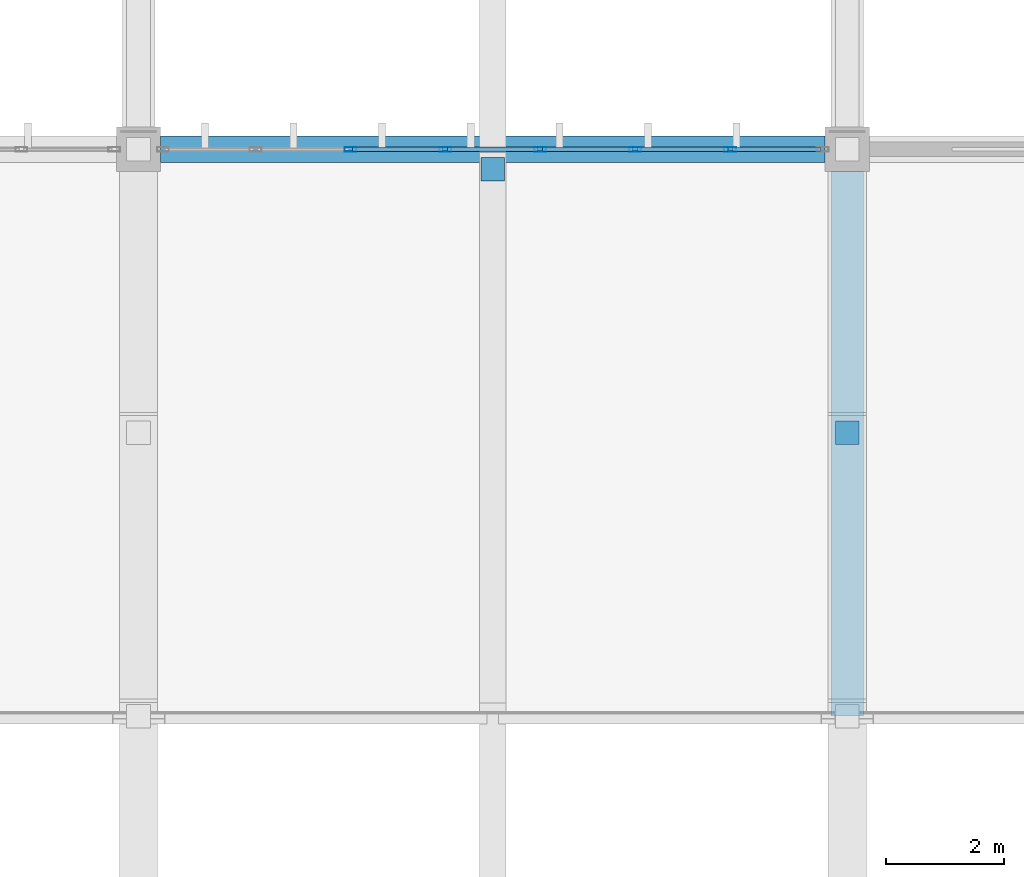
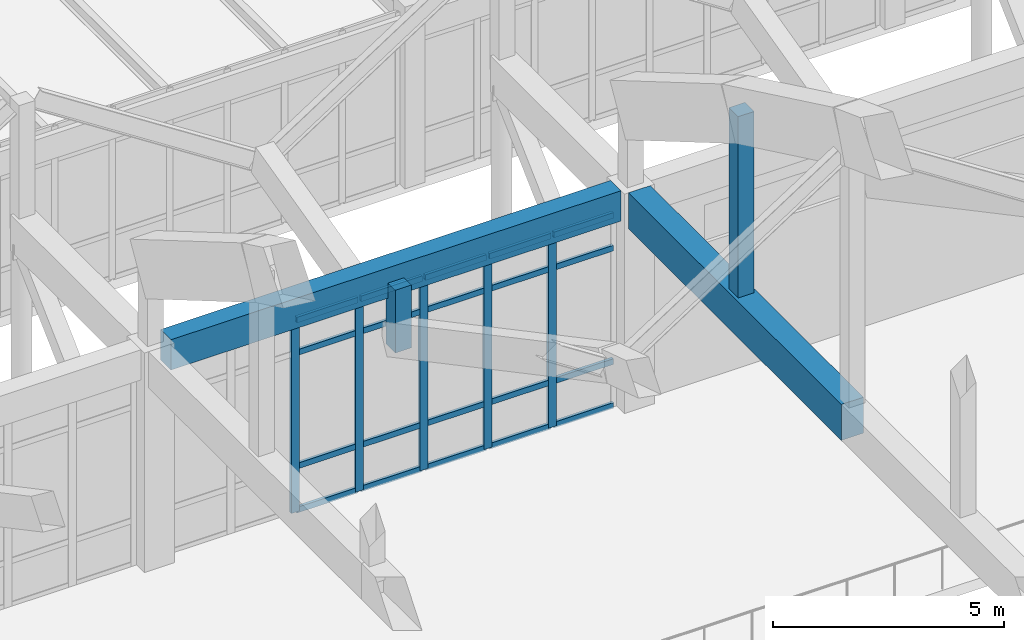
# One storey, part 87 of 236: 27 members, 2 beams, 1 element without a shape of its own.
"""IFC4 building model written with IfcOpenShell, lengths in metres."""

from ifc_helpers import new_model, si_unit, direction, frame, origin, origin_2d, place, context, subcontext, project, spatial, rectangle, hollow_rectangle, extrude, material, layer, layer_set, material_profile, profile_set, type_object, element, aggregate, save


model = new_model("IFC4")

# Units and contexts
model_context = context("Model", 3, precision=1e-05, world=origin(), true_north=direction((0.0, 1.0)))
body_context = subcontext(model_context, "Body", "Model", "MODEL_VIEW")
ifc_project = project(units=[si_unit("LENGTHUNIT", "METRE"), si_unit("AREAUNIT", "SQUARE_METRE"), si_unit("VOLUMEUNIT", "CUBIC_METRE"), si_unit("PLANEANGLEUNIT", "RADIAN"), si_unit("MASSUNIT", "GRAM", prefix="KILO")], contexts=[model_context])

# Site, building, storey
site_placement = place(None, origin())
site = spatial("IfcSite", under=ifc_project, at=site_placement, CompositionType="ELEMENT")
building_placement = place(site_placement, origin())
building = spatial("IfcBuilding", under=site, at=building_placement, Name="Pandanus Reach Market Hall", CompositionType="ELEMENT")
storey_placement = place(building_placement, frame((0.0, 0.0, 5.39990234375)))
storey = spatial("IfcBuildingStorey", under=building, at=storey_placement, Name="L01", CompositionType="ELEMENT", Elevation=5.39990234375)

# Members
ifc_material_1 = material(Name="Concrete N50 (50 MPa)", Category="concrete")
ifc_material_profile_1 = material_profile(ifc_material_1, rectangle(XDim=0.39990234375, YDim=0.39990234375, at=origin_2d()), Name="RC400x400", Category="LoadBearing")
ifc_profile_set_1 = profile_set([ifc_material_profile_1], Name="Concrete N50 (50 MPa)")
member_type_1 = type_object("IfcMemberType", Name="AR-WEB400-E", PredefinedType="STRUT", material=ifc_profile_set_1)
member_1_placement = place(storey_placement, frame((120.0, 81.60009765625, 5.3251953125), z_axis=(0.0, 0.0, 1.0), x_axis=(1.0, 0.0, 0.0)))
element("IfcMember", 1, at=member_1_placement, inside=storey, type_object=member_type_1, Name="Arch truss vertical web strut A7.11", PredefinedType="STRUT", context=body_context, shape_type="SweptSolid", body=[
    extrude(rectangle(XDim=0.39990234375, YDim=0.39990234375, at=origin_2d()), origin(), (0.0, 0.0, 1.0), 5.26611328125),
])
member_2_placement = place(storey_placement, frame((114.0, 86.06005859375, 3.739990234375), z_axis=(0.0, 0.0, 1.0), x_axis=(1.0, 0.0, 0.0)))
element("IfcMember", 2, at=member_2_placement, inside=storey, type_object=member_type_1, Name="Butterfly north eave valley hanger B6N", PredefinedType="STRUT", context=body_context, shape_type="SweptSolid", body=[
    extrude(rectangle(XDim=0.39990234375, YDim=0.39990234375, at=origin_2d()), origin(), (0.0, 0.0, 1.0), 1.66015625),
])

# Beams
ifc_material_2 = material(Name="Concrete N40 (40 MPa)", Category="concrete")
ifc_material_profile_2 = material_profile(ifc_material_2, rectangle(XDim=0.449951171875, YDim=0.800048828125, at=origin_2d()), Name="RC450x800", Category="LoadBearing")
ifc_profile_set_2 = profile_set([ifc_material_profile_2], Name="Concrete N40 (40 MPa)")
beam_type_1 = type_object("IfcBeamType", Name="BM-RC450-E", PredefinedType="SPANDREL", material=ifc_profile_set_2)
beam_1_placement = place(storey_placement, frame((108.373046875, 86.39990234375, 5.400146484375), z_axis=(1.0, 0.0, 0.0), x_axis=(0.0, 1.0, 0.0)))
element("IfcBeam", 3, at=beam_1_placement, inside=storey, type_object=beam_type_1, Name="Framing beam BM-RC450-E L01.1150", PredefinedType="SPANDREL", context=body_context, shape_type="SweptSolid", body=[
    extrude(rectangle(XDim=0.449951171875, YDim=0.800048828125, at=origin_2d()), origin(), (0.0, 0.0, 1.0), 11.25390625),
])
ifc_material_profile_3 = material_profile(ifc_material_1, rectangle(XDim=0.550048828125, YDim=0.949951171875, at=origin_2d()), Name="RC550x950", Category="LoadBearing")
ifc_profile_set_3 = profile_set([ifc_material_profile_3], Name="Concrete N50 (50 MPa)")
beam_type_2 = type_object("IfcBeamType", Name="BM-RC550-I", PredefinedType="BEAM", material=ifc_profile_set_3)
beam_2_placement = place(storey_placement, frame((120.0, 76.800048828125, 5.3251953125), z_axis=(0.0, 1.0, 0.0), x_axis=(-1.0, 0.0, 0.0)))
element("IfcBeam", 4, at=beam_2_placement, inside=storey, type_object=beam_type_2, Name="Parabolic arch tie girder A7.6", PredefinedType="BEAM", context=body_context, shape_type="SweptSolid", body=[
    extrude(rectangle(XDim=0.550048828125, YDim=0.949951171875, at=origin_2d()), origin(), (0.0, 0.0, 1.0), 9.22705078125),
])

# Curtain wall, members
ifc_material_3 = material(Name="Bronze anodised aluminium and low-E glass", Category="aluminium")
ifc_layer = layer(ifc_material_3, 0.199951171875, Name="CW-02")
ifc_layer_set = layer_set([ifc_layer], Name="Bronze anodised aluminium and low-E glass")
curtain_wall_type = type_object("IfcCurtainWallType", Name="CW-02", PredefinedType="NOTDEFINED", material=ifc_layer_set)
curtain_wall_placement = place(storey_placement, origin())
curtain_wall = element("IfcCurtainWall", 5, at=curtain_wall_placement, inside=storey, type_object=curtain_wall_type, Name="Glazed curtain wall CW-02 CW-0016", PredefinedType="NOTDEFINED")
ifc_material_4 = material(Name="Bronze anodised aluminium", Category="aluminium")
ifc_material_profile_4 = material_profile(ifc_material_4, hollow_rectangle(XDim=0.074951171875, YDim=0.199951171875, WallThickness=0.00439453125, at=origin_2d()), Name="ALU75x200", Category="LoadBearing")
ifc_profile_set_4 = profile_set([ifc_material_profile_4], Name="Bronze anodised aluminium")
member_type_2 = type_object("IfcMemberType", Name="CW-M2", PredefinedType="MULLION", material=ifc_profile_set_4)
member_3_placement = place(storey_placement, frame((111.58935546875, 86.39990234375, 0.0), z_axis=(0.0, 0.0, 1.0), x_axis=(0.0, 1.0, 0.0)))
member_3 = element("IfcMember", 6, at=member_3_placement, type_object=member_type_2, Name="CW-02 mullion 3", PredefinedType="MULLION", context=body_context, shape_type="SweptSolid", body=[
    extrude(hollow_rectangle(XDim=0.074951171875, YDim=0.199951171875, WallThickness=0.00439453125, at=origin_2d()), origin(), (0.0, 0.0, 1.0), 5.10009765625),
])
member_4_placement = place(storey_placement, frame((113.196533203125, 86.39990234375, 0.0), z_axis=(0.0, 0.0, 1.0), x_axis=(0.0, 1.0, 0.0)))
member_4 = element("IfcMember", 7, at=member_4_placement, type_object=member_type_2, Name="CW-02 mullion 4", PredefinedType="MULLION", context=body_context, shape_type="SweptSolid", body=[
    extrude(hollow_rectangle(XDim=0.074951171875, YDim=0.199951171875, WallThickness=0.00439453125, at=origin_2d()), origin(), (0.0, 0.0, 1.0), 5.10009765625),
])
member_5_placement = place(storey_placement, frame((114.803466796875, 86.39990234375, 0.0), z_axis=(0.0, 0.0, 1.0), x_axis=(0.0, 1.0, 0.0)))
member_5 = element("IfcMember", 8, at=member_5_placement, type_object=member_type_2, Name="CW-02 mullion 5", PredefinedType="MULLION", context=body_context, shape_type="SweptSolid", body=[
    extrude(hollow_rectangle(XDim=0.074951171875, YDim=0.199951171875, WallThickness=0.00439453125, at=origin_2d()), origin(), (0.0, 0.0, 1.0), 5.10009765625),
])
member_6_placement = place(storey_placement, frame((116.41064453125, 86.39990234375, 0.0), z_axis=(0.0, 0.0, 1.0), x_axis=(0.0, 1.0, 0.0)))
member_6 = element("IfcMember", 9, at=member_6_placement, type_object=member_type_2, Name="CW-02 mullion 6", PredefinedType="MULLION", context=body_context, shape_type="SweptSolid", body=[
    extrude(hollow_rectangle(XDim=0.074951171875, YDim=0.199951171875, WallThickness=0.00439453125, at=origin_2d()), origin(), (0.0, 0.0, 1.0), 5.10009765625),
])
member_7_placement = place(storey_placement, frame((118.017822265625, 86.39990234375, 0.0), z_axis=(0.0, 0.0, 1.0), x_axis=(0.0, 1.0, 0.0)))
member_7 = element("IfcMember", 10, at=member_7_placement, type_object=member_type_2, Name="CW-02 mullion 7", PredefinedType="MULLION", context=body_context, shape_type="SweptSolid", body=[
    extrude(hollow_rectangle(XDim=0.074951171875, YDim=0.199951171875, WallThickness=0.00439453125, at=origin_2d()), origin(), (0.0, 0.0, 1.0), 5.10009765625),
])
ifc_material_profile_5 = material_profile(ifc_material_4, hollow_rectangle(XDim=0.074951171875, YDim=0.14990234375, WallThickness=0.00439453125, at=origin_2d()), Name="ALU75x150", Category="LoadBearing")
ifc_profile_set_5 = profile_set([ifc_material_profile_5], Name="Bronze anodised aluminium")
member_type_3 = type_object("IfcMemberType", Name="CW-T2", PredefinedType="USERDEFINED", material=ifc_profile_set_5)
member_8_placement = place(storey_placement, frame((111.626708984375, 86.39990234375, 0.03759765625), z_axis=(1.0, 0.0, 0.0), x_axis=(0.0, 1.0, 0.0)))
member_8 = element("IfcMember", 11, at=member_8_placement, type_object=member_type_3, Name="CW-02 transom 3.1", ObjectType="TRANSOM", PredefinedType="USERDEFINED", context=body_context, shape_type="SweptSolid", body=[
    extrude(hollow_rectangle(XDim=0.074951171875, YDim=0.14990234375, WallThickness=0.00439453125, at=origin_2d()), origin(), (0.0, 0.0, 1.0), 1.5322265625),
])
member_9_placement = place(storey_placement, frame((111.626708984375, 86.39990234375, 1.2001953125), z_axis=(1.0, 0.0, 0.0), x_axis=(0.0, 1.0, 0.0)))
member_9 = element("IfcMember", 12, at=member_9_placement, type_object=member_type_3, Name="CW-02 transom 3.2", ObjectType="TRANSOM", PredefinedType="USERDEFINED", context=body_context, shape_type="SweptSolid", body=[
    extrude(hollow_rectangle(XDim=0.074951171875, YDim=0.14990234375, WallThickness=0.00439453125, at=origin_2d()), origin(), (0.0, 0.0, 1.0), 1.5322265625),
])
member_10_placement = place(storey_placement, frame((111.626708984375, 86.39990234375, 4.2001953125), z_axis=(1.0, 0.0, 0.0), x_axis=(0.0, 1.0, 0.0)))
member_10 = element("IfcMember", 13, at=member_10_placement, type_object=member_type_3, Name="CW-02 transom 3.3", ObjectType="TRANSOM", PredefinedType="USERDEFINED", context=body_context, shape_type="SweptSolid", body=[
    extrude(hollow_rectangle(XDim=0.074951171875, YDim=0.14990234375, WallThickness=0.00439453125, at=origin_2d()), origin(), (0.0, 0.0, 1.0), 1.5322265625),
])
member_11_placement = place(storey_placement, frame((111.626708984375, 86.39990234375, 5.0625), z_axis=(1.0, 0.0, 0.0), x_axis=(0.0, 1.0, 0.0)))
member_11 = element("IfcMember", 14, at=member_11_placement, type_object=member_type_3, Name="CW-02 transom 3.4", ObjectType="TRANSOM", PredefinedType="USERDEFINED", context=body_context, shape_type="SweptSolid", body=[
    extrude(hollow_rectangle(XDim=0.074951171875, YDim=0.14990234375, WallThickness=0.00439453125, at=origin_2d()), origin(), (0.0, 0.0, 1.0), 1.5322265625),
])
member_12_placement = place(storey_placement, frame((113.23388671875, 86.39990234375, 0.03759765625), z_axis=(1.0, 0.0, 0.0), x_axis=(0.0, 1.0, 0.0)))
member_12 = element("IfcMember", 15, at=member_12_placement, type_object=member_type_3, Name="CW-02 transom 4.1", ObjectType="TRANSOM", PredefinedType="USERDEFINED", context=body_context, shape_type="SweptSolid", body=[
    extrude(hollow_rectangle(XDim=0.074951171875, YDim=0.14990234375, WallThickness=0.00439453125, at=origin_2d()), origin(), (0.0, 0.0, 1.0), 1.5322265625),
])
member_13_placement = place(storey_placement, frame((113.23388671875, 86.39990234375, 1.2001953125), z_axis=(1.0, 0.0, 0.0), x_axis=(0.0, 1.0, 0.0)))
member_13 = element("IfcMember", 16, at=member_13_placement, type_object=member_type_3, Name="CW-02 transom 4.2", ObjectType="TRANSOM", PredefinedType="USERDEFINED", context=body_context, shape_type="SweptSolid", body=[
    extrude(hollow_rectangle(XDim=0.074951171875, YDim=0.14990234375, WallThickness=0.00439453125, at=origin_2d()), origin(), (0.0, 0.0, 1.0), 1.5322265625),
])
member_14_placement = place(storey_placement, frame((113.23388671875, 86.39990234375, 4.2001953125), z_axis=(1.0, 0.0, 0.0), x_axis=(0.0, 1.0, 0.0)))
member_14 = element("IfcMember", 17, at=member_14_placement, type_object=member_type_3, Name="CW-02 transom 4.3", ObjectType="TRANSOM", PredefinedType="USERDEFINED", context=body_context, shape_type="SweptSolid", body=[
    extrude(hollow_rectangle(XDim=0.074951171875, YDim=0.14990234375, WallThickness=0.00439453125, at=origin_2d()), origin(), (0.0, 0.0, 1.0), 1.5322265625),
])
member_15_placement = place(storey_placement, frame((113.23388671875, 86.39990234375, 5.0625), z_axis=(1.0, 0.0, 0.0), x_axis=(0.0, 1.0, 0.0)))
member_15 = element("IfcMember", 18, at=member_15_placement, type_object=member_type_3, Name="CW-02 transom 4.4", ObjectType="TRANSOM", PredefinedType="USERDEFINED", context=body_context, shape_type="SweptSolid", body=[
    extrude(hollow_rectangle(XDim=0.074951171875, YDim=0.14990234375, WallThickness=0.00439453125, at=origin_2d()), origin(), (0.0, 0.0, 1.0), 1.5322265625),
])
member_16_placement = place(storey_placement, frame((114.841064453125, 86.39990234375, 0.03759765625), z_axis=(1.0, 0.0, 0.0), x_axis=(0.0, 1.0, 0.0)))
member_16 = element("IfcMember", 19, at=member_16_placement, type_object=member_type_3, Name="CW-02 transom 5.1", ObjectType="TRANSOM", PredefinedType="USERDEFINED", context=body_context, shape_type="SweptSolid", body=[
    extrude(hollow_rectangle(XDim=0.074951171875, YDim=0.14990234375, WallThickness=0.00439453125, at=origin_2d()), origin(), (0.0, 0.0, 1.0), 1.5322265625),
])
member_17_placement = place(storey_placement, frame((114.841064453125, 86.39990234375, 1.2001953125), z_axis=(1.0, 0.0, 0.0), x_axis=(0.0, 1.0, 0.0)))
member_17 = element("IfcMember", 20, at=member_17_placement, type_object=member_type_3, Name="CW-02 transom 5.2", ObjectType="TRANSOM", PredefinedType="USERDEFINED", context=body_context, shape_type="SweptSolid", body=[
    extrude(hollow_rectangle(XDim=0.074951171875, YDim=0.14990234375, WallThickness=0.00439453125, at=origin_2d()), origin(), (0.0, 0.0, 1.0), 1.5322265625),
])
member_18_placement = place(storey_placement, frame((114.841064453125, 86.39990234375, 4.2001953125), z_axis=(1.0, 0.0, 0.0), x_axis=(0.0, 1.0, 0.0)))
member_18 = element("IfcMember", 21, at=member_18_placement, type_object=member_type_3, Name="CW-02 transom 5.3", ObjectType="TRANSOM", PredefinedType="USERDEFINED", context=body_context, shape_type="SweptSolid", body=[
    extrude(hollow_rectangle(XDim=0.074951171875, YDim=0.14990234375, WallThickness=0.00439453125, at=origin_2d()), origin(), (0.0, 0.0, 1.0), 1.5322265625),
])
member_19_placement = place(storey_placement, frame((114.841064453125, 86.39990234375, 5.0625), z_axis=(1.0, 0.0, 0.0), x_axis=(0.0, 1.0, 0.0)))
member_19 = element("IfcMember", 22, at=member_19_placement, type_object=member_type_3, Name="CW-02 transom 5.4", ObjectType="TRANSOM", PredefinedType="USERDEFINED", context=body_context, shape_type="SweptSolid", body=[
    extrude(hollow_rectangle(XDim=0.074951171875, YDim=0.14990234375, WallThickness=0.00439453125, at=origin_2d()), origin(), (0.0, 0.0, 1.0), 1.5322265625),
])
member_20_placement = place(storey_placement, frame((116.4482421875, 86.39990234375, 0.03759765625), z_axis=(1.0, 0.0, 0.0), x_axis=(0.0, 1.0, 0.0)))
member_20 = element("IfcMember", 23, at=member_20_placement, type_object=member_type_3, Name="CW-02 transom 6.1", ObjectType="TRANSOM", PredefinedType="USERDEFINED", context=body_context, shape_type="SweptSolid", body=[
    extrude(hollow_rectangle(XDim=0.074951171875, YDim=0.14990234375, WallThickness=0.00439453125, at=origin_2d()), origin(), (0.0, 0.0, 1.0), 1.5322265625),
])
member_21_placement = place(storey_placement, frame((116.4482421875, 86.39990234375, 1.2001953125), z_axis=(1.0, 0.0, 0.0), x_axis=(0.0, 1.0, 0.0)))
member_21 = element("IfcMember", 24, at=member_21_placement, type_object=member_type_3, Name="CW-02 transom 6.2", ObjectType="TRANSOM", PredefinedType="USERDEFINED", context=body_context, shape_type="SweptSolid", body=[
    extrude(hollow_rectangle(XDim=0.074951171875, YDim=0.14990234375, WallThickness=0.00439453125, at=origin_2d()), origin(), (0.0, 0.0, 1.0), 1.5322265625),
])
member_22_placement = place(storey_placement, frame((116.4482421875, 86.39990234375, 4.2001953125), z_axis=(1.0, 0.0, 0.0), x_axis=(0.0, 1.0, 0.0)))
member_22 = element("IfcMember", 25, at=member_22_placement, type_object=member_type_3, Name="CW-02 transom 6.3", ObjectType="TRANSOM", PredefinedType="USERDEFINED", context=body_context, shape_type="SweptSolid", body=[
    extrude(hollow_rectangle(XDim=0.074951171875, YDim=0.14990234375, WallThickness=0.00439453125, at=origin_2d()), origin(), (0.0, 0.0, 1.0), 1.5322265625),
])
member_23_placement = place(storey_placement, frame((116.4482421875, 86.39990234375, 5.0625), z_axis=(1.0, 0.0, 0.0), x_axis=(0.0, 1.0, 0.0)))
member_23 = element("IfcMember", 26, at=member_23_placement, type_object=member_type_3, Name="CW-02 transom 6.4", ObjectType="TRANSOM", PredefinedType="USERDEFINED", context=body_context, shape_type="SweptSolid", body=[
    extrude(hollow_rectangle(XDim=0.074951171875, YDim=0.14990234375, WallThickness=0.00439453125, at=origin_2d()), origin(), (0.0, 0.0, 1.0), 1.5322265625),
])
member_24_placement = place(storey_placement, frame((118.055419921875, 86.39990234375, 0.03759765625), z_axis=(1.0, 0.0, 0.0), x_axis=(0.0, 1.0, 0.0)))
member_24 = element("IfcMember", 27, at=member_24_placement, type_object=member_type_3, Name="CW-02 transom 7.1", ObjectType="TRANSOM", PredefinedType="USERDEFINED", context=body_context, shape_type="SweptSolid", body=[
    extrude(hollow_rectangle(XDim=0.074951171875, YDim=0.14990234375, WallThickness=0.00439453125, at=origin_2d()), origin(), (0.0, 0.0, 1.0), 1.49462890625),
])
member_25_placement = place(storey_placement, frame((118.055419921875, 86.39990234375, 1.2001953125), z_axis=(1.0, 0.0, 0.0), x_axis=(0.0, 1.0, 0.0)))
member_25 = element("IfcMember", 28, at=member_25_placement, type_object=member_type_3, Name="CW-02 transom 7.2", ObjectType="TRANSOM", PredefinedType="USERDEFINED", context=body_context, shape_type="SweptSolid", body=[
    extrude(hollow_rectangle(XDim=0.074951171875, YDim=0.14990234375, WallThickness=0.00439453125, at=origin_2d()), origin(), (0.0, 0.0, 1.0), 1.49462890625),
])
member_26_placement = place(storey_placement, frame((118.055419921875, 86.39990234375, 4.2001953125), z_axis=(1.0, 0.0, 0.0), x_axis=(0.0, 1.0, 0.0)))
member_26 = element("IfcMember", 29, at=member_26_placement, type_object=member_type_3, Name="CW-02 transom 7.3", ObjectType="TRANSOM", PredefinedType="USERDEFINED", context=body_context, shape_type="SweptSolid", body=[
    extrude(hollow_rectangle(XDim=0.074951171875, YDim=0.14990234375, WallThickness=0.00439453125, at=origin_2d()), origin(), (0.0, 0.0, 1.0), 1.49462890625),
])
member_27_placement = place(storey_placement, frame((118.055419921875, 86.39990234375, 5.0625), z_axis=(1.0, 0.0, 0.0), x_axis=(0.0, 1.0, 0.0)))
member_27 = element("IfcMember", 30, at=member_27_placement, type_object=member_type_3, Name="CW-02 transom 7.4", ObjectType="TRANSOM", PredefinedType="USERDEFINED", context=body_context, shape_type="SweptSolid", body=[
    extrude(hollow_rectangle(XDim=0.074951171875, YDim=0.14990234375, WallThickness=0.00439453125, at=origin_2d()), origin(), (0.0, 0.0, 1.0), 1.49462890625),
])
aggregate(curtain_wall, [member_3, member_4, member_5, member_6, member_7, member_8, member_9, member_10, member_11, member_12, member_13, member_14, member_15, member_16, member_17, member_18, member_19, member_20, member_21, member_22, member_23, member_24, member_25, member_26, member_27])

save(model, "model.ifc")
